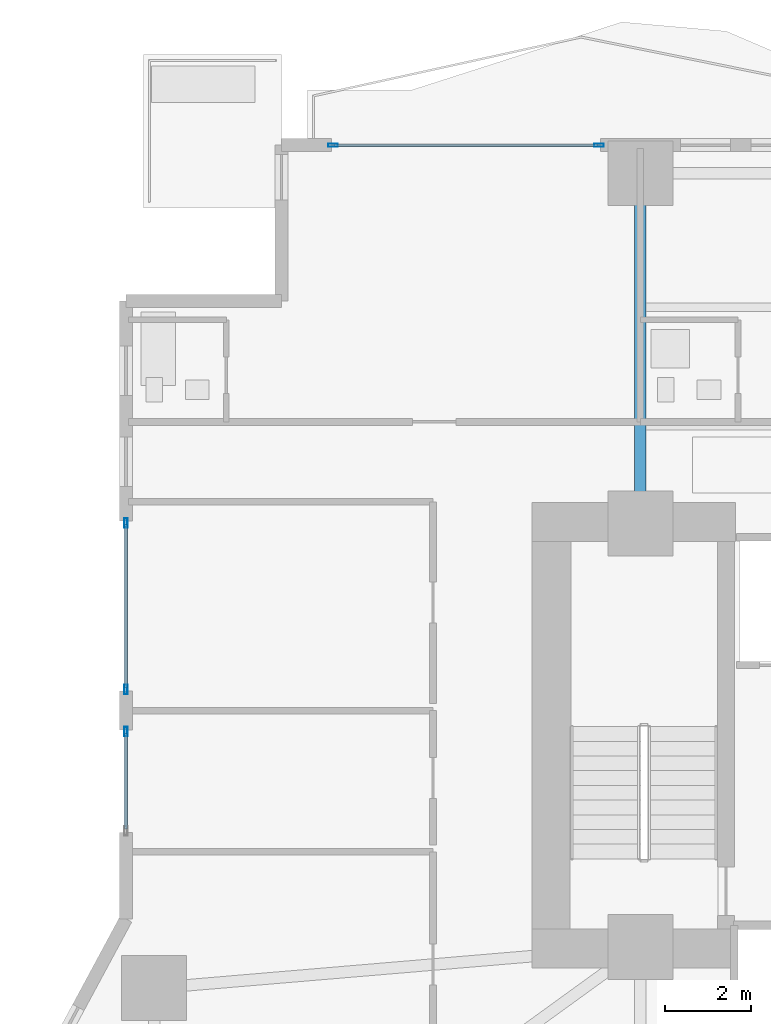
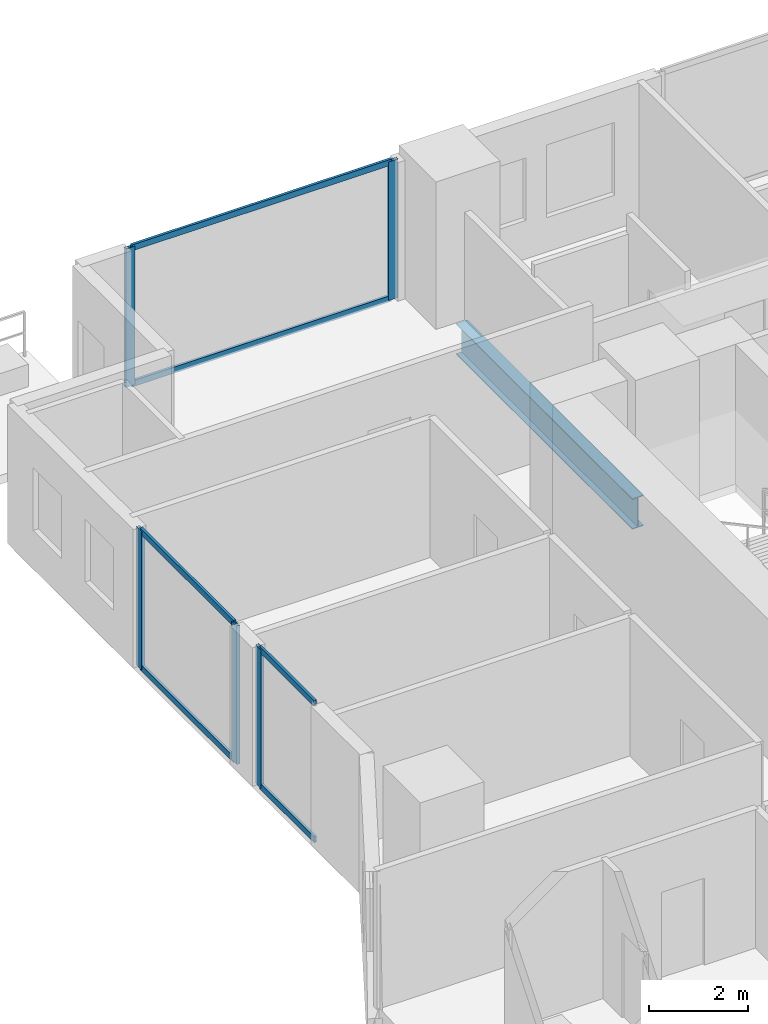
# One storey, part 13 of 29: 11 members, 1 beam, 3 elements without a shape of their own.
"""IFC4 building model written with IfcOpenShell, lengths in metres."""

from ifc_helpers import new_model, si_unit, direction, frame, origin, origin_2d, place, context, subcontext, project, spatial, hollow_rectangle, i_section, extrude, material, layer, layer_set, material_profile, profile_set, type_object, element, aggregate, save


model = new_model("IFC4")

# Units and contexts
model_context = context("Model", 3, precision=1e-05, world=origin(), true_north=direction((0.0, 1.0)))
body_context = subcontext(model_context, "Body", "Model", "MODEL_VIEW")
ifc_project = project(units=[si_unit("LENGTHUNIT", "METRE"), si_unit("AREAUNIT", "SQUARE_METRE"), si_unit("VOLUMEUNIT", "CUBIC_METRE"), si_unit("PLANEANGLEUNIT", "RADIAN"), si_unit("MASSUNIT", "GRAM", prefix="KILO")], contexts=[model_context])

# Site, building, storey
site_placement = place(None, origin())
site = spatial("IfcSite", under=ifc_project, at=site_placement, CompositionType="ELEMENT")
building_placement = place(site_placement, origin())
building = spatial("IfcBuilding", under=site, at=building_placement, Name="Zuhayl Quay Hotel", CompositionType="ELEMENT")
storey_placement = place(building_placement, frame((0.0, 0.0, 64.10009765625)))
storey = spatial("IfcBuildingStorey", under=building, at=storey_placement, Name="L15", CompositionType="ELEMENT", Elevation=64.10009765625)

# Beam
ifc_material_1 = material(Name="Steel ASTM A992 Grade 50", Category="steel")
ifc_material_profile_1 = material_profile(ifc_material_1, i_section(OverallWidth=0.26708984375, OverallDepth=0.761962890625, WebThickness=0.014404296875, FlangeThickness=0.021484375, at=origin_2d()), Name="W30X116")
ifc_profile_set_1 = profile_set([ifc_material_profile_1], Name="Steel ASTM A992 Grade 50")
beam_type = type_object("IfcBeamType", Name="BM_B1_W30X116", PredefinedType="BEAM", material=ifc_profile_set_1)
beam_placement = place(storey_placement, frame((-13.800048828125, 14.800048828125, -0.60107421875), z_axis=(0.0, 1.0, 0.0), x_axis=(-1.0, 0.0, 0.0)))
element("IfcBeam", 1, at=beam_placement, inside=storey, type_object=beam_type, Name="L15 Floor Beam FG_N_L15_1", PredefinedType="BEAM", context=body_context, shape_type="SweptSolid", body=[
    extrude(i_section(OverallWidth=0.26708984375, OverallDepth=0.761962890625, WebThickness=0.014404296875, FlangeThickness=0.021484375, at=origin_2d()), origin(), (0.0, 0.0, 1.0), 7.14990234375),
])

# Curtain wall, member
ifc_material_2 = material(Name="Anodised Aluminium 6063-T6", Category="aluminium")
ifc_layer = layer(ifc_material_2, 0.18994140625, Name="Anodised Aluminium 6063-T6", Category="aluminium")
ifc_layer_set = layer_set([ifc_layer], Name="Anodised Aluminium 6063-T6")
curtain_wall_type = type_object("IfcCurtainWallType", Name="CW_SYS_Z1", PredefinedType="USERDEFINED", material=ifc_layer_set)
curtain_wall_1_placement = place(storey_placement, origin())
curtain_wall_1 = element("IfcCurtainWall", 2, at=curtain_wall_1_placement, inside=storey, type_object=curtain_wall_type, Name="L15 Curtain Wall ENV_L15_E05_CW1", ObjectType="UNITISED CURTAIN WALL", PredefinedType="USERDEFINED")
ifc_material_3 = material(Name="Black-anodised aluminium 6063-T6", Category="aluminium")
ifc_material_profile_2 = material_profile(ifc_material_3, hollow_rectangle(XDim=0.074951171875, YDim=0.219970703125, WallThickness=0.00390625, at=origin_2d()), Name="ALU220X75")
ifc_profile_set_2 = profile_set([ifc_material_profile_2], Name="Black-anodised aluminium 6063-T6")
member_type_1 = type_object("IfcMemberType", Name="MB_CW_MUL_220", PredefinedType="MULLION", material=ifc_profile_set_2)
member_1_placement = place(storey_placement, frame((-25.699951171875, 9.532470703125, 0.0), z_axis=(0.0, 0.0, 1.0), x_axis=(-1.0, 0.0, 0.0)))
member_1 = element("IfcMember", 3, at=member_1_placement, type_object=member_type_1, Name="CW-Z1 mullion 2", PredefinedType="MULLION", context=body_context, shape_type="SweptSolid", body=[
    extrude(hollow_rectangle(XDim=0.074951171875, YDim=0.219970703125, WallThickness=0.00390625, at=origin_2d()), origin(), (0.0, 0.0, 1.0), 3.429931640625),
])

# Curtain wall, members
curtain_wall_2_placement = place(storey_placement, origin())
curtain_wall_2 = element("IfcCurtainWall", 4, at=curtain_wall_2_placement, inside=storey, type_object=curtain_wall_type, Name="L15 Curtain Wall ENV_L15_E05_CW2", ObjectType="UNITISED CURTAIN WALL", PredefinedType="USERDEFINED")
member_2_placement = place(storey_placement, frame((-25.699951171875, 10.507568359375, 0.0), z_axis=(0.0, 0.0, 1.0), x_axis=(-1.0, 0.0, 0.0)))
member_2 = element("IfcMember", 5, at=member_2_placement, type_object=member_type_1, Name="CW-Z1 mullion 1", PredefinedType="MULLION", context=body_context, shape_type="SweptSolid", body=[
    extrude(hollow_rectangle(XDim=0.074951171875, YDim=0.219970703125, WallThickness=0.00390625, at=origin_2d()), origin(), (0.0, 0.0, 1.0), 3.429931640625),
])
member_3_placement = place(storey_placement, frame((-25.699951171875, 14.362548828125, 0.0), z_axis=(0.0, 0.0, 1.0), x_axis=(-1.0, 0.0, 0.0)))
member_3 = element("IfcMember", 6, at=member_3_placement, type_object=member_type_1, Name="CW-Z1 mullion 2", PredefinedType="MULLION", context=body_context, shape_type="SweptSolid", body=[
    extrude(hollow_rectangle(XDim=0.074951171875, YDim=0.219970703125, WallThickness=0.00390625, at=origin_2d()), origin(), (0.0, 0.0, 1.0), 3.429931640625),
])

curtain_wall_3_placement = place(storey_placement, origin())
curtain_wall_3 = element("IfcCurtainWall", 7, at=curtain_wall_3_placement, inside=storey, type_object=curtain_wall_type, Name="L15 Curtain Wall ENV_L15_N_CW1", ObjectType="UNITISED CURTAIN WALL", PredefinedType="USERDEFINED")
member_4_placement = place(storey_placement, frame((-20.91259765625, 23.10009765625, 0.0), z_axis=(0.0, 0.0, 1.0), x_axis=(0.0, 1.0, 0.0)))
member_4 = element("IfcMember", 8, at=member_4_placement, type_object=member_type_1, Name="CW-Z1 mullion 1", PredefinedType="MULLION", context=body_context, shape_type="SweptSolid", body=[
    extrude(hollow_rectangle(XDim=0.074951171875, YDim=0.219970703125, WallThickness=0.00390625, at=origin_2d()), origin(), (0.0, 0.0, 1.0), 3.429931640625),
])
member_5_placement = place(storey_placement, frame((-14.757568359375, 23.10009765625, 0.0), z_axis=(0.0, 0.0, 1.0), x_axis=(0.0, 1.0, 0.0)))
member_5 = element("IfcMember", 9, at=member_5_placement, type_object=member_type_1, Name="CW-Z1 mullion 2", PredefinedType="MULLION", context=body_context, shape_type="SweptSolid", body=[
    extrude(hollow_rectangle(XDim=0.074951171875, YDim=0.219970703125, WallThickness=0.00390625, at=origin_2d()), origin(), (0.0, 0.0, 1.0), 3.429931640625),
])

# Member
ifc_material_profile_3 = material_profile(ifc_material_3, hollow_rectangle(XDim=0.06005859375, YDim=0.14990234375, WallThickness=0.00341796875, at=origin_2d()), Name="ALU150X60")
ifc_profile_set_3 = profile_set([ifc_material_profile_3], Name="Black-anodised aluminium 6063-T6")
member_type_2 = type_object("IfcMemberType", Name="MB_CW_TRN_150", PredefinedType="USERDEFINED", material=ifc_profile_set_3)
member_6_placement = place(storey_placement, frame((-25.699951171875, 7.27490234375, 0.02978515625), z_axis=(0.0, 1.0, 0.0), x_axis=(-1.0, 0.0, 0.0)))
member_6 = element("IfcMember", 10, at=member_6_placement, type_object=member_type_2, Name="CW-Z1 transom 1.1", ObjectType="TRANSOM", PredefinedType="USERDEFINED", context=body_context, shape_type="SweptSolid", body=[
    extrude(hollow_rectangle(XDim=0.06005859375, YDim=0.14990234375, WallThickness=0.00341796875, at=origin_2d()), origin(), (0.0, 0.0, 1.0), 2.22021484375),
])

member_7_placement = place(storey_placement, frame((-25.699951171875, 7.27490234375, 3.39990234375), z_axis=(0.0, 1.0, 0.0), x_axis=(-1.0, 0.0, 0.0)))
member_7 = element("IfcMember", 11, at=member_7_placement, type_object=member_type_2, Name="CW-Z1 transom 1.2", ObjectType="TRANSOM", PredefinedType="USERDEFINED", context=body_context, shape_type="SweptSolid", body=[
    extrude(hollow_rectangle(XDim=0.06005859375, YDim=0.14990234375, WallThickness=0.00341796875, at=origin_2d()), origin(), (0.0, 0.0, 1.0), 2.22021484375),
])

aggregate(curtain_wall_1, [member_1, member_6, member_7])

member_8_placement = place(storey_placement, frame((-25.699951171875, 10.544921875, 0.02978515625), z_axis=(0.0, 1.0, 0.0), x_axis=(-1.0, 0.0, 0.0)))
member_8 = element("IfcMember", 12, at=member_8_placement, type_object=member_type_2, Name="CW-Z1 transom 1.1", ObjectType="TRANSOM", PredefinedType="USERDEFINED", context=body_context, shape_type="SweptSolid", body=[
    extrude(hollow_rectangle(XDim=0.06005859375, YDim=0.14990234375, WallThickness=0.00341796875, at=origin_2d()), origin(), (0.0, 0.0, 1.0), 3.780029296875),
])

member_9_placement = place(storey_placement, frame((-25.699951171875, 10.544921875, 3.39990234375), z_axis=(0.0, 1.0, 0.0), x_axis=(-1.0, 0.0, 0.0)))
member_9 = element("IfcMember", 13, at=member_9_placement, type_object=member_type_2, Name="CW-Z1 transom 1.2", ObjectType="TRANSOM", PredefinedType="USERDEFINED", context=body_context, shape_type="SweptSolid", body=[
    extrude(hollow_rectangle(XDim=0.06005859375, YDim=0.14990234375, WallThickness=0.00341796875, at=origin_2d()), origin(), (0.0, 0.0, 1.0), 3.780029296875),
])

aggregate(curtain_wall_2, [member_2, member_3, member_8, member_9])

member_10_placement = place(storey_placement, frame((-20.875, 23.10009765625, 0.02978515625), z_axis=(1.0, 0.0, 0.0), x_axis=(0.0, 1.0, 0.0)))
member_10 = element("IfcMember", 14, at=member_10_placement, type_object=member_type_2, Name="CW-Z1 transom 1.1", ObjectType="TRANSOM", PredefinedType="USERDEFINED", context=body_context, shape_type="SweptSolid", body=[
    extrude(hollow_rectangle(XDim=0.06005859375, YDim=0.14990234375, WallThickness=0.00341796875, at=origin_2d()), origin(), (0.0, 0.0, 1.0), 6.080078125),
])

member_11_placement = place(storey_placement, frame((-20.875, 23.10009765625, 3.39990234375), z_axis=(1.0, 0.0, 0.0), x_axis=(0.0, 1.0, 0.0)))
member_11 = element("IfcMember", 15, at=member_11_placement, type_object=member_type_2, Name="CW-Z1 transom 1.2", ObjectType="TRANSOM", PredefinedType="USERDEFINED", context=body_context, shape_type="SweptSolid", body=[
    extrude(hollow_rectangle(XDim=0.06005859375, YDim=0.14990234375, WallThickness=0.00341796875, at=origin_2d()), origin(), (0.0, 0.0, 1.0), 6.080078125),
])

aggregate(curtain_wall_3, [member_4, member_5, member_10, member_11])

save(model, "model.ifc")
